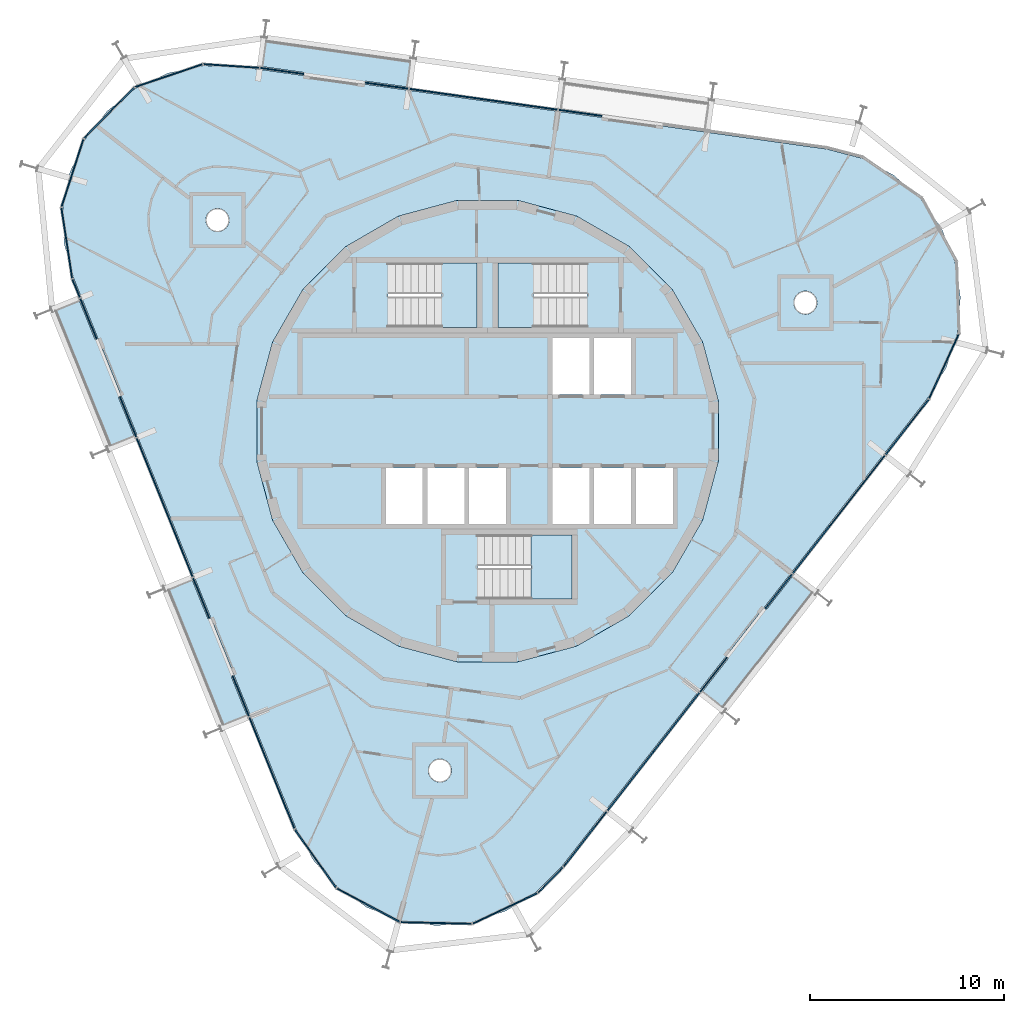
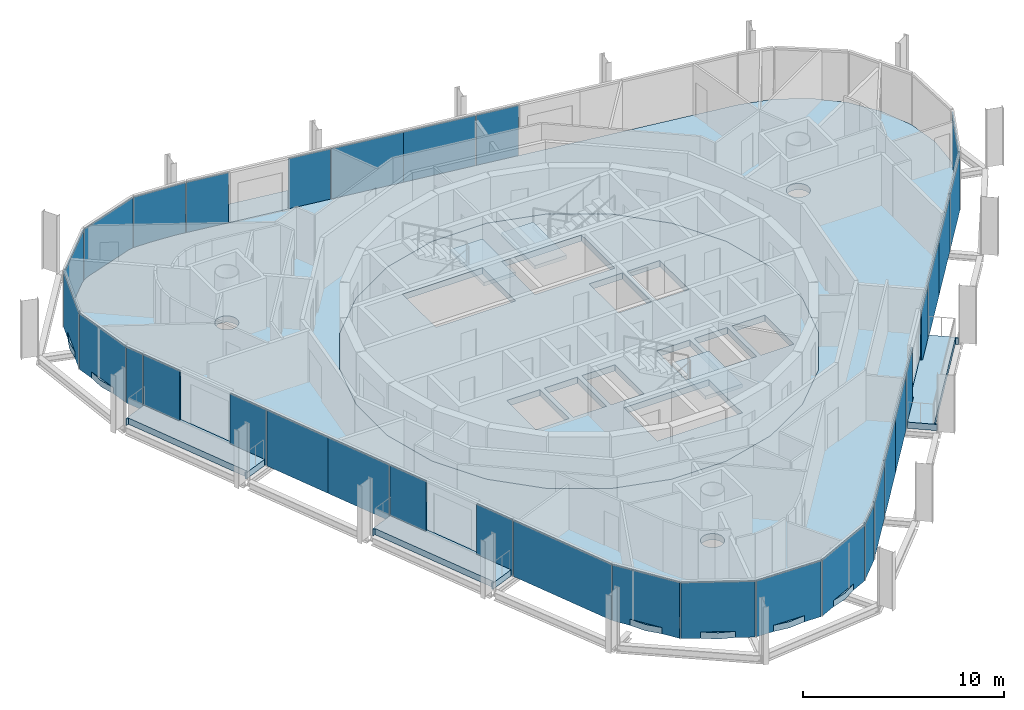
# One storey, part 8 of 15: 32 plates, 9 slabs, 9 elements without a shape of their own.
"""IFC4 building model written with IfcOpenShell, lengths in metres."""

from ifc_helpers import new_model, si_unit, direction, frame, origin, origin_2d, place, context, subcontext, project, spatial, polyline, rectangle, outline, extrude, material, layer, layer_set, type_object, element, aggregate, save


model = new_model("IFC4")

# Units and contexts
model_context = context("Model", 3, precision=1e-05, world=origin(), true_north=direction((0.0, 1.0)))
body_context = subcontext(model_context, "Body", "Model", "MODEL_VIEW")
ifc_project = project(units=[si_unit("LENGTHUNIT", "METRE"), si_unit("AREAUNIT", "SQUARE_METRE"), si_unit("VOLUMEUNIT", "CUBIC_METRE"), si_unit("PLANEANGLEUNIT", "RADIAN"), si_unit("MASSUNIT", "GRAM", prefix="KILO")], contexts=[model_context])

# Site, building, storey
site_placement = place(None, origin())
site = spatial("IfcSite", under=ifc_project, at=site_placement, CompositionType="ELEMENT")
building_placement = place(site_placement, origin())
building = spatial("IfcBuilding", under=site, at=building_placement, Name="Spindle Arch Residences", CompositionType="ELEMENT")
storey_placement = place(building_placement, frame((0.0, 0.0, 343.5)))
storey = spatial("IfcBuildingStorey", under=building, at=storey_placement, Name="L88", CompositionType="ELEMENT", Elevation=343.5)

# Slabs
ifc_material_1 = material(Name="Concrete C40/50", Category="concrete")
ifc_layer_1 = layer(ifc_material_1, 0.3798828125)
ifc_layer_set_1 = layer_set([ifc_layer_1], Name="Balcony slab 380")
slab_type_1 = type_object("IfcSlabType", Name="Balcony slab 380", PredefinedType="FLOOR", material=ifc_layer_set_1)
slab_1_placement = place(storey_placement, frame((0.0, 0.0, -0.3798828125)))
element("IfcSlab", 1, at=slab_1_placement, inside=storey, type_object=slab_type_1, Name="Balcony L88 bay 8", PredefinedType="FLOOR", context=body_context, shape_type="SweptSolid", body=[
    extrude(outline(polyline([(-3.909423828125, 19.219482421875), (-3.98388671875, 19.22998046875), (-4.004638671875, 19.08154296875), (-11.397705078125, 20.120361328125), (-11.376708984375, 20.26904296875), (-11.450927734375, 20.279541015625), (-11.658447265625, 18.803955078125), (-9.47216796875, 18.49658203125), (-9.494384765625, 18.338134765625), (-6.325439453125, 17.892822265625), (-6.30322265625, 18.05126953125), (-4.116943359375, 17.744140625), (-3.909423828125, 19.219482421875)])), origin(), (0.0, 0.0, 1.0), 0.3798828125),
])
slab_2_placement = place(storey_placement, frame((0.0, 0.0, -0.3798828125)))
element("IfcSlab", 2, at=slab_2_placement, inside=storey, type_object=slab_type_1, Name="Balcony L88 bay 12", PredefinedType="FLOOR", context=body_context, shape_type="SweptSolid", body=[
    extrude(outline(polyline([(-22.447265625, 6.204833984375), (-22.419189453125, 6.13525390625), (-22.280029296875, 6.19140625), (-19.4833984375, -0.73046875), (-19.62255859375, -0.78662109375), (-19.594482421875, -0.856201171875), (-18.212890625, -0.298095703125), (-19.0400390625, 1.7490234375), (-18.8916015625, 1.808837890625), (-20.09033203125, 4.77587890625), (-20.23876953125, 4.716064453125), (-21.06591796875, 6.762939453125), (-22.447265625, 6.204833984375)])), origin(), (0.0, 0.0, 1.0), 0.3798828125),
])
slab_3_placement = place(storey_placement, frame((0.0, 0.0, -0.3798828125)))
element("IfcSlab", 3, at=slab_3_placement, inside=storey, type_object=slab_type_1, Name="Balcony L88 bay 14", PredefinedType="FLOOR", context=body_context, shape_type="SweptSolid", body=[
    extrude(outline(polyline([(-16.629150390625, -8.195556640625), (-16.60107421875, -8.264892578125), (-16.462158203125, -8.208740234375), (-13.665283203125, -15.130859375), (-13.804443359375, -15.18701171875), (-13.7763671875, -15.256591796875), (-12.394775390625, -14.6982421875), (-13.221923828125, -12.6513671875), (-13.073486328125, -12.59130859375), (-14.272216796875, -9.624267578125), (-14.420654296875, -9.684326171875), (-15.247802734375, -7.63720703125), (-16.629150390625, -8.195556640625)])), origin(), (0.0, 0.0, 1.0), 0.3798828125),
])
slab_4_placement = place(storey_placement, frame((0.0, 0.0, -0.3798828125)))
element("IfcSlab", 4, at=slab_4_placement, inside=storey, type_object=slab_type_1, Name="Balcony L88 bay 20", PredefinedType="FLOOR", context=body_context, shape_type="SweptSolid", body=[
    extrude(outline(polyline([(12.224853515625, -14.38330078125), (12.27099609375, -14.323974609375), (12.15283203125, -14.231689453125), (16.7490234375, -8.348876953125), (16.8671875, -8.441162109375), (16.913330078125, -8.382080078125), (15.7392578125, -7.464599609375), (14.3798828125, -9.204345703125), (14.25390625, -9.10595703125), (12.28369140625, -11.627685546875), (12.409912109375, -11.72607421875), (11.050537109375, -13.4658203125), (12.224853515625, -14.38330078125)])), origin(), (0.0, 0.0, 1.0), 0.3798828125),
])
ifc_material_2 = material(Name="Concrete C50/60", Category="concrete")
ifc_layer_2 = layer(ifc_material_2, 0.3798828125)
ifc_layer_set_2 = layer_set([ifc_layer_2], Name="Core floor slab 380")
slab_type_2 = type_object("IfcSlabType", Name="Core floor slab 380", PredefinedType="FLOOR", material=ifc_layer_set_2)
slab_5_placement = place(storey_placement, frame((0.0, 0.0, -0.3798828125)))
element("IfcSlab", 5, at=slab_5_placement, inside=storey, type_object=slab_type_2, Name="Core floor L88", PredefinedType="FLOOR", context=body_context, shape_type="SweptSolid", body=[
    extrude(outline(polyline([(1.56640625, -11.897216796875), (4.59228515625, -11.086669921875), (7.30517578125, -9.520263671875), (9.520263671875, -7.30517578125), (11.086669921875, -4.59228515625), (11.897216796875, -1.56640625), (11.897216796875, 1.56640625), (11.086669921875, 4.59228515625), (9.520263671875, 7.30517578125), (7.30517578125, 9.520263671875), (4.59228515625, 11.086669921875), (1.56640625, 11.897216796875), (-1.56640625, 11.897216796875), (-4.59228515625, 11.086669921875), (-7.30517578125, 9.520263671875), (-9.520263671875, 7.30517578125), (-11.086669921875, 4.59228515625), (-11.897216796875, 1.56640625), (-11.897216796875, -1.56640625), (-11.086669921875, -4.59228515625), (-9.520263671875, -7.30517578125), (-7.30517578125, -9.520263671875), (-4.59228515625, -11.086669921875), (-1.56640625, -11.897216796875), (1.56640625, -11.897216796875)]), holes=[polyline([(3.35009765625, 1.89990234375), (5.25, 1.89990234375), (5.25, 4.800048828125), (3.35009765625, 4.800048828125), (3.35009765625, 1.89990234375)]), polyline([(5.5, 1.89990234375), (7.39990234375, 1.89990234375), (7.39990234375, 4.800048828125), (5.5, 4.800048828125), (5.5, 1.89990234375)]), polyline([(-5.25, -4.800048828125), (-3.35009765625, -4.800048828125), (-3.35009765625, -1.89990234375), (-5.25, -1.89990234375), (-5.25, -4.800048828125)]), polyline([(-3.10009765625, -4.800048828125), (-1.199951171875, -4.800048828125), (-1.199951171875, -1.89990234375), (-3.10009765625, -1.89990234375), (-3.10009765625, -4.800048828125)]), polyline([(-0.949951171875, -4.800048828125), (0.949951171875, -4.800048828125), (0.949951171875, -1.89990234375), (-0.949951171875, -1.89990234375), (-0.949951171875, -4.800048828125)]), polyline([(3.35009765625, -4.800048828125), (5.25, -4.800048828125), (5.25, -1.89990234375), (3.35009765625, -1.89990234375), (3.35009765625, -4.800048828125)]), polyline([(5.5, -4.800048828125), (7.39990234375, -4.800048828125), (7.39990234375, -1.89990234375), (5.5, -1.89990234375), (5.5, -4.800048828125)]), polyline([(7.64990234375, -4.800048828125), (9.550048828125, -4.800048828125), (9.550048828125, -1.89990234375), (7.64990234375, -1.89990234375), (7.64990234375, -4.800048828125)]), polyline([(5.1298828125, 8.669921875), (0.550048828125, 8.669921875), (0.550048828125, 5.35009765625), (5.1298828125, 5.35009765625), (5.1298828125, 8.669921875)]), polyline([(-5.1298828125, 5.35009765625), (-0.550048828125, 5.35009765625), (-0.550048828125, 8.669921875), (-5.1298828125, 8.669921875), (-5.1298828125, 5.35009765625)]), polyline([(-0.530029296875, -8.669921875), (4.35009765625, -8.669921875), (4.35009765625, -5.35009765625), (-0.530029296875, -5.35009765625), (-0.530029296875, -8.669921875)])]), origin(), (0.0, 0.0, 1.0), 0.3798828125),
])

# Stair, slab
ifc_material_3 = material(Name="Concrete C50/60", Category="concrete")
stair_type = type_object("IfcStairType", Name="Exit stair 16 risers", PredefinedType="HALF_TURN_STAIR", material=ifc_material_3)
stair_1_placement = place(storey_placement, origin())
stair_1 = element("IfcStair", 6, at=stair_1_placement, inside=storey, type_object=stair_type, Name="L88 Exit stair ST1", PredefinedType="HALF_TURN_STAIR")
ifc_material_4 = material(Name="Concrete C50/60", Category="concrete")
ifc_layer_3 = layer(ifc_material_4, 0.219970703125)
ifc_layer_set_3 = layer_set([ifc_layer_3], Name="Exit stair landing 220")
slab_type_3 = type_object("IfcSlabType", Name="Exit stair landing 220", PredefinedType="LANDING", material=ifc_layer_set_3)
slab_6_placement = place(storey_placement, frame((0.0, 0.0, 1.530029296875)))
slab_6 = element("IfcSlab", 7, at=slab_6_placement, type_object=slab_type_3, Name="ST1 landing 1", PredefinedType="LANDING", context=body_context, shape_type="SweptSolid", body=[
    extrude(outline(polyline([(2.3701171875, 8.669921875), (0.550048828125, 8.669921875), (0.550048828125, 5.35009765625), (2.3701171875, 5.35009765625), (2.3701171875, 8.669921875)])), origin(), (0.0, 0.0, 1.0), 0.219970703125),
])
aggregate(stair_1, [slab_6])

stair_2_placement = place(storey_placement, origin())
stair_2 = element("IfcStair", 8, at=stair_2_placement, inside=storey, type_object=stair_type, Name="L88 Exit stair ST2", PredefinedType="HALF_TURN_STAIR")
slab_7_placement = place(storey_placement, frame((0.0, 0.0, 1.530029296875)))
slab_7 = element("IfcSlab", 9, at=slab_7_placement, type_object=slab_type_3, Name="ST2 landing 1", PredefinedType="LANDING", context=body_context, shape_type="SweptSolid", body=[
    extrude(outline(polyline([(-2.3701171875, 5.35009765625), (-0.550048828125, 5.35009765625), (-0.550048828125, 8.669921875), (-2.3701171875, 8.669921875), (-2.3701171875, 5.35009765625)])), origin(), (0.0, 0.0, 1.0), 0.219970703125),
])
aggregate(stair_2, [slab_7])

stair_3_placement = place(storey_placement, origin())
stair_3 = element("IfcStair", 10, at=stair_3_placement, inside=storey, type_object=stair_type, Name="L88 Exit stair ST3", PredefinedType="HALF_TURN_STAIR")
slab_8_placement = place(storey_placement, frame((0.0, 0.0, 1.530029296875)))
slab_8 = element("IfcSlab", 11, at=slab_8_placement, type_object=slab_type_3, Name="ST3 landing 1", PredefinedType="LANDING", context=body_context, shape_type="SweptSolid", body=[
    extrude(outline(polyline([(2.22998046875, -8.669921875), (4.35009765625, -8.669921875), (4.35009765625, -5.35009765625), (2.22998046875, -5.35009765625), (2.22998046875, -8.669921875)])), origin(), (0.0, 0.0, 1.0), 0.219970703125),
])
aggregate(stair_3, [slab_8])

# Slab
ifc_material_5 = material(Name="Concrete C40/50", Category="concrete")
ifc_layer_4 = layer(ifc_material_5, 0.3798828125)
ifc_layer_set_4 = layer_set([ifc_layer_4], Name="Floor slab 380")
slab_type_4 = type_object("IfcSlabType", Name="Floor slab 380", PredefinedType="FLOOR", material=ifc_layer_set_4)
slab_9_placement = place(storey_placement, frame((0.0, 0.0, -0.3798828125)))
element("IfcSlab", 12, at=slab_9_placement, inside=storey, type_object=slab_type_4, Name="Floor slab L88", PredefinedType="FLOOR", context=body_context, shape_type="SweptSolid", body=[
    extrude(outline(polyline([(2.5380859375, -23.751220703125), (0.962890625, -24.735595703125), (-0.796875, -25.330078125), (-2.646240234375, -25.502685546875), (-4.485595703125, -25.244140625), (-6.2158203125, -24.568359375), (-7.74365234375, -23.511962890625), (-8.986572265625, -22.131591796875), (-9.877685546875, -20.501708984375), (-21.346923828125, 7.885986328125), (-21.838134765625, 9.677490234375), (-21.903076171875, 11.53369140625), (-21.5380859375, 13.35498046875), (-20.7626953125, 15.043212890625), (-19.619140625, 16.5068359375), (-18.1689453125, 17.667236328125), (-16.489990234375, 18.462158203125), (-14.673095703125, 18.848388671875), (-12.816162109375, 18.80517578125), (17.503173828125, 14.5439453125), (19.300048828125, 14.07373046875), (20.940185546875, 13.20166015625), (22.334716796875, 11.974853515625), (23.4091796875, 10.459716796875), (24.10498046875, 8.7373046875), (24.384765625, 6.901123046875), (24.233642578125, 5.0498046875), (23.65966796875, 3.283203125), (22.69384765625, 1.696533203125), (13.268798828125, -10.36669921875), (3.843994140625, -22.43017578125), (2.5380859375, -23.751220703125)]), holes=[polyline([(7.30517578125, -9.520263671875), (9.520263671875, -7.30517578125), (11.086669921875, -4.59228515625), (11.897216796875, -1.56640625), (11.897216796875, 1.56640625), (11.086669921875, 4.59228515625), (9.520263671875, 7.30517578125), (7.30517578125, 9.520263671875), (4.59228515625, 11.086669921875), (1.56640625, 11.897216796875), (-1.56640625, 11.897216796875), (-4.59228515625, 11.086669921875), (-7.30517578125, 9.520263671875), (-9.520263671875, 7.30517578125), (-11.086669921875, 4.59228515625), (-11.897216796875, 1.56640625), (-11.897216796875, -1.56640625), (-11.086669921875, -4.59228515625), (-9.520263671875, -7.30517578125), (-7.30517578125, -9.520263671875), (-4.59228515625, -11.086669921875), (-1.56640625, -11.897216796875), (1.56640625, -11.897216796875), (4.59228515625, -11.086669921875), (7.30517578125, -9.520263671875)]), polyline([(-1.961181640625, -17.838134765625), (-1.90576171875, -17.734375), (-1.87158203125, -17.621826171875), (-1.860107421875, -17.5048828125), (-1.87158203125, -17.3876953125), (-1.90576171875, -17.275146484375), (-1.961181640625, -17.17138671875), (-2.035888671875, -17.08056640625), (-2.126708984375, -17.005859375), (-2.23046875, -16.950439453125), (-2.343017578125, -16.916259765625), (-2.460205078125, -16.90478515625), (-2.5771484375, -16.916259765625), (-2.689697265625, -16.950439453125), (-2.79345703125, -17.005859375), (-2.884521484375, -17.08056640625), (-2.958984375, -17.17138671875), (-3.014404296875, -17.275146484375), (-3.048583984375, -17.3876953125), (-3.06005859375, -17.5048828125), (-3.048583984375, -17.621826171875), (-3.014404296875, -17.734375), (-2.958984375, -17.838134765625), (-2.884521484375, -17.92919921875), (-2.79345703125, -18.003662109375), (-2.689697265625, -18.05908203125), (-2.5771484375, -18.09326171875), (-2.460205078125, -18.104736328125), (-2.343017578125, -18.09326171875), (-2.23046875, -18.05908203125), (-2.126708984375, -18.003662109375), (-2.035888671875, -17.92919921875), (-1.961181640625, -17.838134765625)]), polyline([(-13.505126953125, 10.458740234375), (-13.4306640625, 10.5498046875), (-13.375244140625, 10.6533203125), (-13.341064453125, 10.765869140625), (-13.32958984375, 10.883056640625), (-13.341064453125, 11.0), (-13.375244140625, 11.112548828125), (-13.4306640625, 11.21630859375), (-13.505126953125, 11.307373046875), (-13.59619140625, 11.3818359375), (-13.699951171875, 11.437255859375), (-13.8125, 11.471435546875), (-13.929443359375, 11.48291015625), (-14.046630859375, 11.471435546875), (-14.1591796875, 11.437255859375), (-14.2626953125, 11.3818359375), (-14.353759765625, 11.307373046875), (-14.428466796875, 11.21630859375), (-14.48388671875, 11.112548828125), (-14.51806640625, 11.0), (-14.529541015625, 10.883056640625), (-14.51806640625, 10.765869140625), (-14.48388671875, 10.6533203125), (-14.428466796875, 10.5498046875), (-14.353759765625, 10.458740234375), (-14.2626953125, 10.384033203125), (-14.1591796875, 10.32861328125), (-14.046630859375, 10.29443359375), (-13.929443359375, 10.282958984375), (-13.8125, 10.29443359375), (-13.699951171875, 10.32861328125), (-13.59619140625, 10.384033203125), (-13.505126953125, 10.458740234375)]), polyline([(16.81396484375, 6.197509765625), (16.888671875, 6.28857421875), (16.944091796875, 6.392333984375), (16.978271484375, 6.5048828125), (16.98974609375, 6.621826171875), (16.978271484375, 6.739013671875), (16.944091796875, 6.8515625), (16.888671875, 6.955078125), (16.81396484375, 7.046142578125), (16.722900390625, 7.120849609375), (16.619384765625, 7.17626953125), (16.5068359375, 7.21044921875), (16.3896484375, 7.221923828125), (16.272705078125, 7.21044921875), (16.16015625, 7.17626953125), (16.056396484375, 7.120849609375), (15.96533203125, 7.046142578125), (15.890869140625, 6.955078125), (15.83544921875, 6.8515625), (15.80126953125, 6.739013671875), (15.789794921875, 6.621826171875), (15.80126953125, 6.5048828125), (15.83544921875, 6.392333984375), (15.890869140625, 6.28857421875), (15.96533203125, 6.197509765625), (16.056396484375, 6.123046875), (16.16015625, 6.067626953125), (16.272705078125, 6.033447265625), (16.3896484375, 6.02197265625), (16.5068359375, 6.033447265625), (16.619384765625, 6.067626953125), (16.722900390625, 6.123046875), (16.81396484375, 6.197509765625)])]), origin(), (0.0, 0.0, 1.0), 0.3798828125),
])

# Curtain wall, plates
ifc_material_6 = material(Name="Aluminium bronze unitised frame with tinted glass", Category="aluminium")
ifc_layer_5 = layer(ifc_material_6, 0.159912109375)
ifc_layer_set_5 = layer_set([ifc_layer_5], Name="CW-D corner wall on the fillet arcs")
curtain_wall_type_1 = type_object("IfcCurtainWallType", Name="CW-D corner wall on the fillet arcs", PredefinedType="NOTDEFINED", material=ifc_layer_set_5)
curtain_wall_1_placement = place(storey_placement, origin())
curtain_wall_1 = element("IfcCurtainWall", 13, at=curtain_wall_1_placement, inside=storey, type_object=curtain_wall_type_1, Name="CW-D L88 run 1", PredefinedType="NOTDEFINED")
ifc_material_7 = material(Name="Tinted double glazing over non-combustible spandrel zone with 0.55 mm stainless steel cavity fire stop (K0)", Category="steel")
ifc_layer_6 = layer(ifc_material_7, 0.070068359375)
ifc_layer_set_6 = layer_set([ifc_layer_6], Name="Unitised glass panel with spandrel zone and stainless cavity fire stop")
plate_type = type_object("IfcPlateType", Name="Unitised glass panel with spandrel zone and stainless cavity fire stop", PredefinedType="CURTAIN_PANEL", material=ifc_layer_set_6)
plate_1_placement = place(storey_placement, frame((21.630126953125, 0.205078125, -0.3798828125), z_axis=(0.0, 0.0, 1.0), x_axis=(0.615661475326, 0.788010753607, 0.0)))
plate_1 = element("IfcPlate", 14, at=plate_1_placement, type_object=plate_type, Name="CW-D unit 00", PredefinedType="CURTAIN_PANEL", context=body_context, shape_type="SweptSolid", body=[
    extrude(rectangle(XDim=3.60009765625, YDim=0.070068359375, at=origin_2d()), origin(), (0.0, 0.0, 1.0), 3.3798828125),
])
plate_2_placement = place(storey_placement, frame((23.534423828125, 3.340576171875, -0.3798828125), z_axis=(0.0, 0.0, 1.0), x_axis=(0.417338452362, 0.908751129947, 0.0)))
plate_2 = element("IfcPlate", 15, at=plate_2_placement, type_object=plate_type, Name="CW-D unit 01", PredefinedType="CURTAIN_PANEL", context=body_context, shape_type="SweptSolid", body=[
    extrude(rectangle(XDim=3.666748046875, YDim=0.070068359375, at=origin_2d()), origin(), (0.0, 0.0, 1.0), 3.3798828125),
])
aggregate(curtain_wall_1, [plate_1, plate_2])

ifc_material_8 = material(Name="Aluminium bronze unitised frame with tinted glass", Category="aluminium")
ifc_layer_7 = layer(ifc_material_8, 0.159912109375)
ifc_layer_set_7 = layer_set([ifc_layer_7], Name="CW-C typical residential unitised wall")
curtain_wall_type_2 = type_object("IfcCurtainWallType", Name="CW-C typical residential unitised wall", PredefinedType="NOTDEFINED", material=ifc_layer_set_7)
curtain_wall_2_placement = place(storey_placement, origin())
curtain_wall_2 = element("IfcCurtainWall", 16, at=curtain_wall_2_placement, inside=storey, type_object=curtain_wall_type_2, Name="CW-C L88 run 2", PredefinedType="NOTDEFINED")
plate_3_placement = place(storey_placement, frame((4.781494140625, 16.41259765625, -0.3798828125), z_axis=(0.0, 0.0, 1.0), x_axis=(-0.990268068742, 0.13917310096, 0.0)))
plate_3 = element("IfcPlate", 17, at=plate_3_placement, type_object=plate_type, Name="CW-C unit 05R", PredefinedType="CURTAIN_PANEL", context=body_context, shape_type="SweptSolid", body=[
    extrude(rectangle(XDim=2.252685546875, YDim=0.070068359375, at=origin_2d()), origin(), (0.0, 0.0, 1.0), 3.3798828125),
])
plate_4_placement = place(storey_placement, frame((1.698974609375, 16.845947265625, -0.3798828125), z_axis=(0.0, 0.0, 1.0), x_axis=(-0.990268068742, 0.13917310096, 0.0)))
plate_4 = element("IfcPlate", 18, at=plate_4_placement, type_object=plate_type, Name="CW-C unit 06A", PredefinedType="CURTAIN_PANEL", context=body_context, shape_type="SweptSolid", body=[
    extrude(rectangle(XDim=3.852783203125, YDim=0.070068359375, at=origin_2d()), origin(), (0.0, 0.0, 1.0), 3.3798828125),
])
plate_5_placement = place(storey_placement, frame((-2.116455078125, 17.382080078125, -0.3798828125), z_axis=(0.0, 0.0, 1.0), x_axis=(-0.990268068742, 0.13917310096, 0.0)))
plate_5 = element("IfcPlate", 19, at=plate_5_placement, type_object=plate_type, Name="CW-C unit 06B", PredefinedType="CURTAIN_PANEL", context=body_context, shape_type="SweptSolid", body=[
    extrude(rectangle(XDim=3.852783203125, YDim=0.070068359375, at=origin_2d()), origin(), (0.0, 0.0, 1.0), 3.3798828125),
])
plate_6_placement = place(storey_placement, frame((-5.198974609375, 17.8154296875, -0.3798828125), z_axis=(0.0, 0.0, 1.0), x_axis=(-0.990268068742, 0.13917310096, 0.0)))
plate_6 = element("IfcPlate", 20, at=plate_6_placement, type_object=plate_type, Name="CW-C unit 07L", PredefinedType="CURTAIN_PANEL", context=body_context, shape_type="SweptSolid", body=[
    extrude(rectangle(XDim=2.252685546875, YDim=0.070068359375, at=origin_2d()), origin(), (0.0, 0.0, 1.0), 3.3798828125),
])
plate_7_placement = place(storey_placement, frame((-10.5986328125, 18.57421875, -0.3798828125), z_axis=(0.0, 0.0, 1.0), x_axis=(-0.990268068742, 0.13917310096, 0.0)))
plate_7 = element("IfcPlate", 21, at=plate_7_placement, type_object=plate_type, Name="CW-C unit 07R", PredefinedType="CURTAIN_PANEL", context=body_context, shape_type="SweptSolid", body=[
    extrude(rectangle(XDim=2.252685546875, YDim=0.070068359375, at=origin_2d()), origin(), (0.0, 0.0, 1.0), 3.3798828125),
])
aggregate(curtain_wall_2, [plate_3, plate_4, plate_5, plate_6, plate_7])

curtain_wall_3_placement = place(storey_placement, origin())
curtain_wall_3 = element("IfcCurtainWall", 22, at=curtain_wall_3_placement, inside=storey, type_object=curtain_wall_type_1, Name="CW-D L88 run 3", PredefinedType="NOTDEFINED")
plate_8_placement = place(storey_placement, frame((-13.212158203125, 18.83154296875, -0.3798828125), z_axis=(0.0, 0.0, 1.0), x_axis=(-0.99785193122, 0.065509719587, 0.0)))
plate_8 = element("IfcPlate", 23, at=plate_8_placement, type_object=plate_type, Name="CW-D unit 00", PredefinedType="CURTAIN_PANEL", context=body_context, shape_type="SweptSolid", body=[
    extrude(rectangle(XDim=2.883056640625, YDim=0.070068359375, at=origin_2d()), origin(), (0.0, 0.0, 1.0), 3.3798828125),
])
plate_9_placement = place(storey_placement, frame((-16.446044921875, 18.33154296875, -0.3798828125), z_axis=(0.0, 0.0, 1.0), x_axis=(-0.947396640541, -0.320061877599, 0.0)))
plate_9 = element("IfcPlate", 24, at=plate_9_placement, type_object=plate_type, Name="CW-D unit 01", PredefinedType="CURTAIN_PANEL", context=body_context, shape_type="SweptSolid", body=[
    extrude(rectangle(XDim=3.666748046875, YDim=0.070068359375, at=origin_2d()), origin(), (0.0, 0.0, 1.0), 3.3798828125),
])
plate_10_placement = place(storey_placement, frame((-19.521240234375, 16.409912109375, -0.3798828125), z_axis=(0.0, 0.0, 1.0), x_axis=(-0.702981055369, -0.711208574043, 0.0)))
plate_10 = element("IfcPlate", 25, at=plate_10_placement, type_object=plate_type, Name="CW-D unit 02", PredefinedType="CURTAIN_PANEL", context=body_context, shape_type="SweptSolid", body=[
    extrude(rectangle(XDim=3.666748046875, YDim=0.070068359375, at=origin_2d()), origin(), (0.0, 0.0, 1.0), 3.3798828125),
])
plate_11_placement = place(storey_placement, frame((-21.406982421875, 13.3125, -0.3798828125), z_axis=(0.0, 0.0, 1.0), x_axis=(-0.309016990673, -0.951056517498, 0.0)))
plate_11 = element("IfcPlate", 26, at=plate_11_placement, type_object=plate_type, Name="CW-D unit 03", PredefinedType="CURTAIN_PANEL", context=body_context, shape_type="SweptSolid", body=[
    extrude(rectangle(XDim=3.666748046875, YDim=0.070068359375, at=origin_2d()), origin(), (0.0, 0.0, 1.0), 3.3798828125),
])
plate_12_placement = place(storey_placement, frame((-21.701904296875, 9.6982421875, -0.3798828125), z_axis=(0.0, 0.0, 1.0), x_axis=(0.150685718984, -0.988581718471, 0.0)))
plate_12 = element("IfcPlate", 27, at=plate_12_placement, type_object=plate_type, Name="CW-D unit 04", PredefinedType="CURTAIN_PANEL", context=body_context, shape_type="SweptSolid", body=[
    extrude(rectangle(XDim=3.666748046875, YDim=0.070068359375, at=origin_2d()), origin(), (0.0, 0.0, 1.0), 3.3798828125),
])
plate_13_placement = place(storey_placement, frame((-21.220458984375, 7.359375, -0.3798828125), z_axis=(0.0, 0.0, 1.0), x_axis=(0.374606593416, -0.927183854567, 0.0)))
plate_13 = element("IfcPlate", 28, at=plate_13_placement, type_object=plate_type, Name="CW-D unit 05", PredefinedType="CURTAIN_PANEL", context=body_context, shape_type="SweptSolid", body=[
    extrude(rectangle(XDim=1.01171875, YDim=0.070068359375, at=origin_2d()), origin(), (0.0, 0.0, 1.0), 3.3798828125),
])
aggregate(curtain_wall_3, [plate_8, plate_9, plate_10, plate_11, plate_12, plate_13])

curtain_wall_4_placement = place(storey_placement, origin())
curtain_wall_4 = element("IfcCurtainWall", 29, at=curtain_wall_4_placement, inside=storey, type_object=curtain_wall_type_2, Name="CW-C L88 run 4", PredefinedType="NOTDEFINED")
plate_14_placement = place(storey_placement, frame((-20.58642578125, 5.790283203125, -0.3798828125), z_axis=(0.0, 0.0, 1.0), x_axis=(0.374606593416, -0.927183854567, 0.0)))
plate_14 = element("IfcPlate", 30, at=plate_14_placement, type_object=plate_type, Name="CW-C unit 11L", PredefinedType="CURTAIN_PANEL", context=body_context, shape_type="SweptSolid", body=[
    extrude(rectangle(XDim=2.252685546875, YDim=0.070068359375, at=origin_2d()), origin(), (0.0, 0.0, 1.0), 3.3798828125),
])
plate_15_placement = place(storey_placement, frame((-18.5439453125, 0.734619140625, -0.3798828125), z_axis=(0.0, 0.0, 1.0), x_axis=(0.374606593416, -0.927183854567, 0.0)))
plate_15 = element("IfcPlate", 31, at=plate_15_placement, type_object=plate_type, Name="CW-C unit 11R", PredefinedType="CURTAIN_PANEL", context=body_context, shape_type="SweptSolid", body=[
    extrude(rectangle(XDim=2.252685546875, YDim=0.070068359375, at=origin_2d()), origin(), (0.0, 0.0, 1.0), 3.3798828125),
])
plate_16_placement = place(storey_placement, frame((-17.377685546875, -2.151611328125, -0.3798828125), z_axis=(0.0, 0.0, 1.0), x_axis=(0.374606593416, -0.927183854567, 0.0)))
plate_16 = element("IfcPlate", 32, at=plate_16_placement, type_object=plate_type, Name="CW-C unit 12A", PredefinedType="CURTAIN_PANEL", context=body_context, shape_type="SweptSolid", body=[
    extrude(rectangle(XDim=3.852783203125, YDim=0.070068359375, at=origin_2d()), origin(), (0.0, 0.0, 1.0), 3.3798828125),
])
plate_17_placement = place(storey_placement, frame((-15.9345703125, -5.723876953125, -0.3798828125), z_axis=(0.0, 0.0, 1.0), x_axis=(0.374606593416, -0.927183854567, 0.0)))
plate_17 = element("IfcPlate", 33, at=plate_17_placement, type_object=plate_type, Name="CW-C unit 12B", PredefinedType="CURTAIN_PANEL", context=body_context, shape_type="SweptSolid", body=[
    extrude(rectangle(XDim=3.852783203125, YDim=0.070068359375, at=origin_2d()), origin(), (0.0, 0.0, 1.0), 3.3798828125),
])
plate_18_placement = place(storey_placement, frame((-14.7685546875, -8.60986328125, -0.3798828125), z_axis=(0.0, 0.0, 1.0), x_axis=(0.374606593416, -0.927183854567, 0.0)))
plate_18 = element("IfcPlate", 34, at=plate_18_placement, type_object=plate_type, Name="CW-C unit 13L", PredefinedType="CURTAIN_PANEL", context=body_context, shape_type="SweptSolid", body=[
    extrude(rectangle(XDim=2.252685546875, YDim=0.070068359375, at=origin_2d()), origin(), (0.0, 0.0, 1.0), 3.3798828125),
])
plate_19_placement = place(storey_placement, frame((-12.725830078125, -13.665771484375, -0.3798828125), z_axis=(0.0, 0.0, 1.0), x_axis=(0.374606593416, -0.927183854567, 0.0)))
plate_19 = element("IfcPlate", 35, at=plate_19_placement, type_object=plate_type, Name="CW-C unit 13R", PredefinedType="CURTAIN_PANEL", context=body_context, shape_type="SweptSolid", body=[
    extrude(rectangle(XDim=2.252685546875, YDim=0.070068359375, at=origin_2d()), origin(), (0.0, 0.0, 1.0), 3.3798828125),
])
aggregate(curtain_wall_4, [plate_14, plate_15, plate_16, plate_17, plate_18, plate_19])

curtain_wall_5_placement = place(storey_placement, origin())
curtain_wall_5 = element("IfcCurtainWall", 36, at=curtain_wall_5_placement, inside=storey, type_object=curtain_wall_type_1, Name="CW-D L88 run 5", PredefinedType="NOTDEFINED")
plate_20_placement = place(storey_placement, frame((-11.122314453125, -17.634765625, -0.3798828125), z_axis=(0.0, 0.0, 1.0), x_axis=(0.374606593416, -0.927183854567, 0.0)))
plate_20 = element("IfcPlate", 37, at=plate_20_placement, type_object=plate_type, Name="CW-D unit 00", PredefinedType="CURTAIN_PANEL", context=body_context, shape_type="SweptSolid", body=[
    extrude(rectangle(XDim=6.188720703125, YDim=0.070068359375, at=origin_2d()), origin(), (0.0, 0.0, 1.0), 3.3798828125),
])
plate_21_placement = place(storey_placement, frame((-8.8740234375, -22.0517578125, -0.3798828125), z_axis=(0.0, 0.0, 1.0), x_axis=(0.578332338584, -0.815801266332, 0.0)))
plate_21 = element("IfcPlate", 38, at=plate_21_placement, type_object=plate_type, Name="CW-D unit 01", PredefinedType="CURTAIN_PANEL", context=body_context, shape_type="SweptSolid", body=[
    extrude(rectangle(XDim=3.666748046875, YDim=0.070068359375, at=origin_2d()), origin(), (0.0, 0.0, 1.0), 3.3798828125),
])
plate_22_placement = place(storey_placement, frame((-6.151123046875, -24.44677734375, -0.3798828125), z_axis=(0.0, 0.0, 1.0), x_axis=(0.882947592408, -0.469471563633, 0.0)))
plate_22 = element("IfcPlate", 39, at=plate_22_placement, type_object=plate_type, Name="CW-D unit 02", PredefinedType="CURTAIN_PANEL", context=body_context, shape_type="SweptSolid", body=[
    extrude(rectangle(XDim=3.666748046875, YDim=0.070068359375, at=origin_2d()), origin(), (0.0, 0.0, 1.0), 3.3798828125),
])
plate_23_placement = place(storey_placement, frame((-2.64306640625, -25.364990234375, -0.3798828125), z_axis=(0.0, 0.0, 1.0), x_axis=(0.999729241109, -0.023268959422, 0.0)))
plate_23 = element("IfcPlate", 40, at=plate_23_placement, type_object=plate_type, Name="CW-D unit 03", PredefinedType="CURTAIN_PANEL", context=body_context, shape_type="SweptSolid", body=[
    extrude(rectangle(XDim=3.666748046875, YDim=0.070068359375, at=origin_2d()), origin(), (0.0, 0.0, 1.0), 3.3798828125),
])
plate_24_placement = place(storey_placement, frame((0.904052734375, -24.61083984375, -0.3798828125), z_axis=(0.0, 0.0, 1.0), x_axis=(0.903833768547, 0.427883767902, 0.0)))
plate_24 = element("IfcPlate", 41, at=plate_24_placement, type_object=plate_type, Name="CW-D unit 04", PredefinedType="CURTAIN_PANEL", context=body_context, shape_type="SweptSolid", body=[
    extrude(rectangle(XDim=3.666748046875, YDim=0.070068359375, at=origin_2d()), origin(), (0.0, 0.0, 1.0), 3.3798828125),
])
plate_25_placement = place(storey_placement, frame((3.24755859375, -23.146484375, -0.3798828125), z_axis=(0.0, 0.0, 1.0), x_axis=(0.702981053644, 0.711208575748, 0.0)))
plate_25 = element("IfcPlate", 42, at=plate_25_placement, type_object=plate_type, Name="CW-D unit 05", PredefinedType="CURTAIN_PANEL", context=body_context, shape_type="SweptSolid", body=[
    extrude(rectangle(XDim=1.816162109375, YDim=0.070068359375, at=origin_2d()), origin(), (0.0, 0.0, 1.0), 3.3798828125),
])
plate_26_placement = place(storey_placement, frame((5.03369140625, -21.037109375, -0.3798828125), z_axis=(0.0, 0.0, 1.0), x_axis=(0.615661475326, 0.788010753607, 0.0)))
plate_26 = element("IfcPlate", 43, at=plate_26_placement, type_object=plate_type, Name="CW-D unit 06", PredefinedType="CURTAIN_PANEL", context=body_context, shape_type="SweptSolid", body=[
    extrude(rectangle(XDim=3.60009765625, YDim=0.070068359375, at=origin_2d()), origin(), (0.0, 0.0, 1.0), 3.3798828125),
])
aggregate(curtain_wall_5, [plate_20, plate_21, plate_22, plate_23, plate_24, plate_25, plate_26])

curtain_wall_6_placement = place(storey_placement, origin())
curtain_wall_6 = element("IfcCurtainWall", 44, at=curtain_wall_6_placement, inside=storey, type_object=curtain_wall_type_2, Name="CW-C L88 run 6", PredefinedType="NOTDEFINED")
plate_27_placement = place(storey_placement, frame((7.364990234375, -18.053466796875, -0.3798828125), z_axis=(0.0, 0.0, 1.0), x_axis=(0.615661475326, 0.788010753607, 0.0)))
plate_27 = element("IfcPlate", 45, at=plate_27_placement, type_object=plate_type, Name="CW-C unit 18A", PredefinedType="CURTAIN_PANEL", context=body_context, shape_type="SweptSolid", body=[
    extrude(rectangle(XDim=3.852783203125, YDim=0.070068359375, at=origin_2d()), origin(), (0.0, 0.0, 1.0), 3.3798828125),
])
plate_28_placement = place(storey_placement, frame((9.73681640625, -15.017333984375, -0.3798828125), z_axis=(0.0, 0.0, 1.0), x_axis=(0.615661475326, 0.788010753607, 0.0)))
plate_28 = element("IfcPlate", 46, at=plate_28_placement, type_object=plate_type, Name="CW-C unit 18B", PredefinedType="CURTAIN_PANEL", context=body_context, shape_type="SweptSolid", body=[
    extrude(rectangle(XDim=3.852783203125, YDim=0.070068359375, at=origin_2d()), origin(), (0.0, 0.0, 1.0), 3.3798828125),
])
plate_29_placement = place(storey_placement, frame((11.6533203125, -12.564453125, -0.3798828125), z_axis=(0.0, 0.0, 1.0), x_axis=(0.615661475326, 0.788010753607, 0.0)))
plate_29 = element("IfcPlate", 47, at=plate_29_placement, type_object=plate_type, Name="CW-C unit 19L", PredefinedType="CURTAIN_PANEL", context=body_context, shape_type="SweptSolid", body=[
    extrude(rectangle(XDim=2.252685546875, YDim=0.070068359375, at=origin_2d()), origin(), (0.0, 0.0, 1.0), 3.3798828125),
])
plate_30_placement = place(storey_placement, frame((15.010498046875, -8.267578125, -0.3798828125), z_axis=(0.0, 0.0, 1.0), x_axis=(0.615661475326, 0.788010753607, 0.0)))
plate_30 = element("IfcPlate", 48, at=plate_30_placement, type_object=plate_type, Name="CW-C unit 19R", PredefinedType="CURTAIN_PANEL", context=body_context, shape_type="SweptSolid", body=[
    extrude(rectangle(XDim=2.252685546875, YDim=0.070068359375, at=origin_2d()), origin(), (0.0, 0.0, 1.0), 3.3798828125),
])
plate_31_placement = place(storey_placement, frame((16.9267578125, -5.814697265625, -0.3798828125), z_axis=(0.0, 0.0, 1.0), x_axis=(0.615661475326, 0.788010753607, 0.0)))
plate_31 = element("IfcPlate", 49, at=plate_31_placement, type_object=plate_type, Name="CW-C unit 00A", PredefinedType="CURTAIN_PANEL", context=body_context, shape_type="SweptSolid", body=[
    extrude(rectangle(XDim=3.852783203125, YDim=0.070068359375, at=origin_2d()), origin(), (0.0, 0.0, 1.0), 3.3798828125),
])
plate_32_placement = place(storey_placement, frame((19.298828125, -2.778564453125, -0.3798828125), z_axis=(0.0, 0.0, 1.0), x_axis=(0.615661475326, 0.788010753607, 0.0)))
plate_32 = element("IfcPlate", 50, at=plate_32_placement, type_object=plate_type, Name="CW-C unit 00B", PredefinedType="CURTAIN_PANEL", context=body_context, shape_type="SweptSolid", body=[
    extrude(rectangle(XDim=3.852783203125, YDim=0.070068359375, at=origin_2d()), origin(), (0.0, 0.0, 1.0), 3.3798828125),
])
aggregate(curtain_wall_6, [plate_27, plate_28, plate_29, plate_30, plate_31, plate_32])

save(model, "model.ifc")
